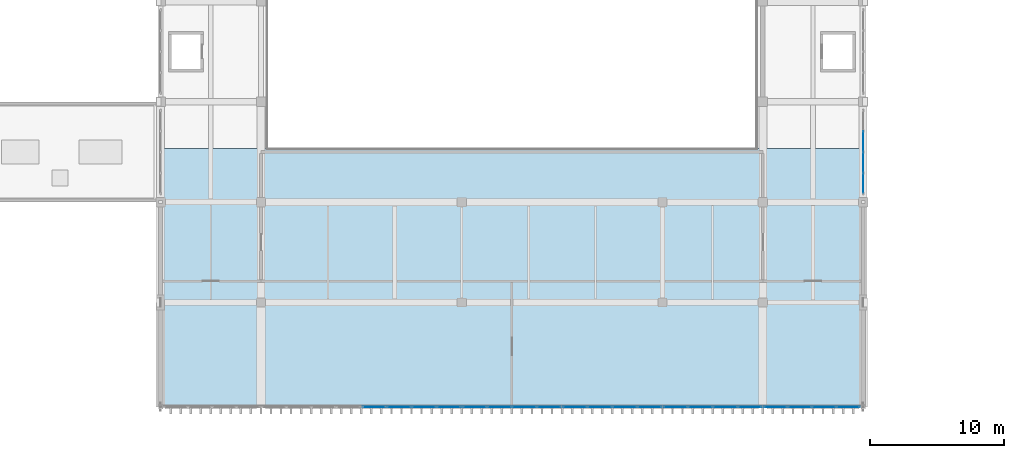
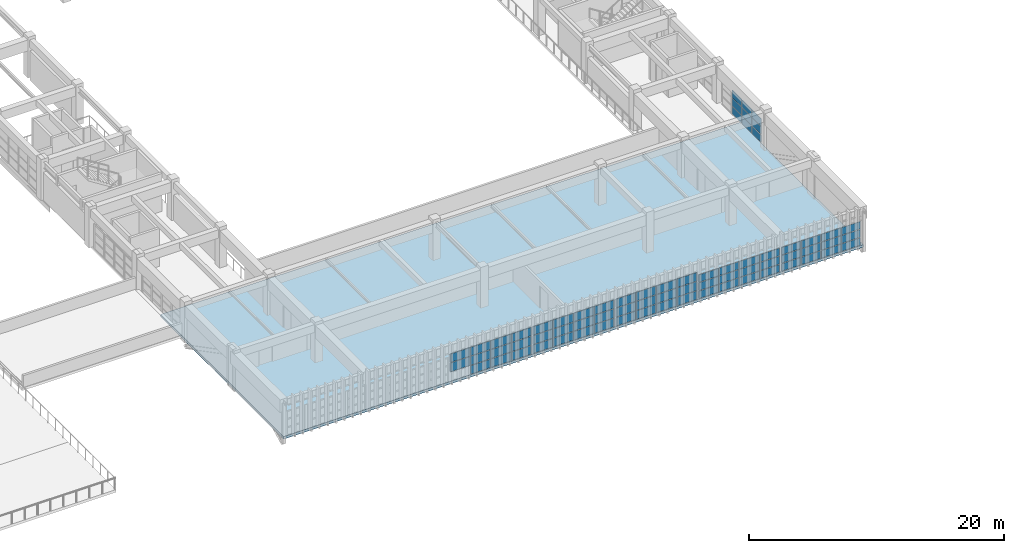
# One storey, part 52 of 82: 68 plates, 1 slab, 6 elements without a shape of their own.
"""IFC4 building model written with IfcOpenShell, lengths in metres."""

from ifc_helpers import new_model, si_unit, direction, frame, origin, origin_2d, place, context, subcontext, project, spatial, polyline, rectangle, outline, extrude, material, layer, layer_set, type_object, element, aggregate, save


model = new_model("IFC4")

# Units and contexts
model_context = context("Model", 3, precision=1e-05, world=origin(), true_north=direction((0.0, 1.0)))
body_context = subcontext(model_context, "Body", "Model", "MODEL_VIEW")
ifc_project = project(units=[si_unit("LENGTHUNIT", "METRE"), si_unit("AREAUNIT", "SQUARE_METRE"), si_unit("VOLUMEUNIT", "CUBIC_METRE"), si_unit("PLANEANGLEUNIT", "RADIAN"), si_unit("MASSUNIT", "GRAM", prefix="KILO")], contexts=[model_context])

# Site, building, storey
site_placement = place(None, origin())
site = spatial("IfcSite", under=ifc_project, at=site_placement, CompositionType="ELEMENT")
building_placement = place(site_placement, origin())
building = spatial("IfcBuilding", under=site, at=building_placement, Name="Qasida Concert Hall", CompositionType="ELEMENT")
storey_placement = place(building_placement, frame((0.0, 0.0, 17.10009765625)))
storey = spatial("IfcBuildingStorey", under=building, at=storey_placement, Name="L04", CompositionType="ELEMENT", Elevation=17.10009765625)

# Curtain wall, plates
ifc_material_1 = material(Name="Architectural bronze-anodized aluminium and low-E glass", Category="aluminium")
curtain_wall_type_1 = type_object("IfcCurtainWallType", Name="CW-10", PredefinedType="NOTDEFINED", material=ifc_material_1)
curtain_wall_1_placement = place(storey_placement, origin())
curtain_wall_1 = element("IfcCurtainWall", 1, at=curtain_wall_1_placement, inside=storey, type_object=curtain_wall_type_1, Name="L04 curtain wall CW-10 0024", PredefinedType="NOTDEFINED")
ifc_material_2 = material(Name="Solar-control low-E double glazing", Category="glass")
ifc_layer_1 = layer(ifc_material_2, 0.035888671875, Name="Solar-control low-E double glazing")
ifc_layer_set_1 = layer_set([ifc_layer_1], Name="Solar-control low-E double glazing")
plate_type_1 = type_object("IfcPlateType", Name="PLT-CWP-1", PredefinedType="CURTAIN_PANEL", material=ifc_layer_set_1)
plate_1_placement = place(storey_placement, frame((68.469970703125, 14.699951171875, 0.9267578125), z_axis=(0.0, 0.0, 1.0), x_axis=(1.0, 0.0, 0.0)))
plate_1 = element("IfcPlate", 2, at=plate_1_placement, type_object=plate_type_1, Name="CW-10 panel 1.2", PredefinedType="CURTAIN_PANEL", context=body_context, shape_type="SweptSolid", body=[
    extrude(rectangle(XDim=1.760009765625, YDim=0.035888671875, at=origin_2d()), origin(), (0.0, 0.0, 1.0), 0.836669921875),
])
plate_2_placement = place(storey_placement, frame((68.469970703125, 14.699951171875, 1.8232421875), z_axis=(0.0, 0.0, 1.0), x_axis=(1.0, 0.0, 0.0)))
plate_2 = element("IfcPlate", 3, at=plate_2_placement, type_object=plate_type_1, Name="CW-10 panel 1.3", PredefinedType="CURTAIN_PANEL", context=body_context, shape_type="SweptSolid", body=[
    extrude(rectangle(XDim=1.760009765625, YDim=0.035888671875, at=origin_2d()), origin(), (0.0, 0.0, 1.0), 0.806640625),
])
plate_3_placement = place(storey_placement, frame((70.3173828125, 14.699951171875, 0.059814453125), z_axis=(0.0, 0.0, 1.0), x_axis=(1.0, 0.0, 0.0)))
plate_3 = element("IfcPlate", 4, at=plate_3_placement, type_object=plate_type_1, Name="CW-10 panel 2.1", PredefinedType="CURTAIN_PANEL", context=body_context, shape_type="SweptSolid", body=[
    extrude(rectangle(XDim=1.794921875, YDim=0.035888671875, at=origin_2d()), origin(), (0.0, 0.0, 1.0), 0.806640625),
])
plate_4_placement = place(storey_placement, frame((70.3173828125, 14.699951171875, 0.9267578125), z_axis=(0.0, 0.0, 1.0), x_axis=(1.0, 0.0, 0.0)))
plate_4 = element("IfcPlate", 5, at=plate_4_placement, type_object=plate_type_1, Name="CW-10 panel 2.2", PredefinedType="CURTAIN_PANEL", context=body_context, shape_type="SweptSolid", body=[
    extrude(rectangle(XDim=1.794921875, YDim=0.035888671875, at=origin_2d()), origin(), (0.0, 0.0, 1.0), 0.836669921875),
])
plate_5_placement = place(storey_placement, frame((70.3173828125, 14.699951171875, 1.8232421875), z_axis=(0.0, 0.0, 1.0), x_axis=(1.0, 0.0, 0.0)))
plate_5 = element("IfcPlate", 6, at=plate_5_placement, type_object=plate_type_1, Name="CW-10 panel 2.3", PredefinedType="CURTAIN_PANEL", context=body_context, shape_type="SweptSolid", body=[
    extrude(rectangle(XDim=1.794921875, YDim=0.035888671875, at=origin_2d()), origin(), (0.0, 0.0, 1.0), 0.806640625),
])
plate_6_placement = place(storey_placement, frame((72.1826171875, 14.699951171875, 0.059814453125), z_axis=(0.0, 0.0, 1.0), x_axis=(1.0, 0.0, 0.0)))
plate_6 = element("IfcPlate", 7, at=plate_6_placement, type_object=plate_type_1, Name="CW-10 panel 3.1", PredefinedType="CURTAIN_PANEL", context=body_context, shape_type="SweptSolid", body=[
    extrude(rectangle(XDim=1.794921875, YDim=0.035888671875, at=origin_2d()), origin(), (0.0, 0.0, 1.0), 0.806640625),
])
plate_7_placement = place(storey_placement, frame((72.1826171875, 14.699951171875, 0.9267578125), z_axis=(0.0, 0.0, 1.0), x_axis=(1.0, 0.0, 0.0)))
plate_7 = element("IfcPlate", 8, at=plate_7_placement, type_object=plate_type_1, Name="CW-10 panel 3.2", PredefinedType="CURTAIN_PANEL", context=body_context, shape_type="SweptSolid", body=[
    extrude(rectangle(XDim=1.794921875, YDim=0.035888671875, at=origin_2d()), origin(), (0.0, 0.0, 1.0), 0.836669921875),
])
plate_8_placement = place(storey_placement, frame((72.1826171875, 14.699951171875, 1.8232421875), z_axis=(0.0, 0.0, 1.0), x_axis=(1.0, 0.0, 0.0)))
plate_8 = element("IfcPlate", 9, at=plate_8_placement, type_object=plate_type_1, Name="CW-10 panel 3.3", PredefinedType="CURTAIN_PANEL", context=body_context, shape_type="SweptSolid", body=[
    extrude(rectangle(XDim=1.794921875, YDim=0.035888671875, at=origin_2d()), origin(), (0.0, 0.0, 1.0), 0.806640625),
])
plate_9_placement = place(storey_placement, frame((74.030029296875, 14.699951171875, 0.059814453125), z_axis=(0.0, 0.0, 1.0), x_axis=(1.0, 0.0, 0.0)))
plate_9 = element("IfcPlate", 10, at=plate_9_placement, type_object=plate_type_1, Name="CW-10 panel 4.1", PredefinedType="CURTAIN_PANEL", context=body_context, shape_type="SweptSolid", body=[
    extrude(rectangle(XDim=1.760009765625, YDim=0.035888671875, at=origin_2d()), origin(), (0.0, 0.0, 1.0), 0.806640625),
])
plate_10_placement = place(storey_placement, frame((74.030029296875, 14.699951171875, 0.9267578125), z_axis=(0.0, 0.0, 1.0), x_axis=(1.0, 0.0, 0.0)))
plate_10 = element("IfcPlate", 11, at=plate_10_placement, type_object=plate_type_1, Name="CW-10 panel 4.2", PredefinedType="CURTAIN_PANEL", context=body_context, shape_type="SweptSolid", body=[
    extrude(rectangle(XDim=1.760009765625, YDim=0.035888671875, at=origin_2d()), origin(), (0.0, 0.0, 1.0), 0.836669921875),
])
plate_11_placement = place(storey_placement, frame((74.030029296875, 14.699951171875, 1.8232421875), z_axis=(0.0, 0.0, 1.0), x_axis=(1.0, 0.0, 0.0)))
plate_11 = element("IfcPlate", 12, at=plate_11_placement, type_object=plate_type_1, Name="CW-10 panel 4.3", PredefinedType="CURTAIN_PANEL", context=body_context, shape_type="SweptSolid", body=[
    extrude(rectangle(XDim=1.760009765625, YDim=0.035888671875, at=origin_2d()), origin(), (0.0, 0.0, 1.0), 0.806640625),
])
aggregate(curtain_wall_1, [plate_1, plate_2, plate_3, plate_4, plate_5, plate_6, plate_7, plate_8, plate_9, plate_10, plate_11])

curtain_wall_2_placement = place(storey_placement, origin())
curtain_wall_2 = element("IfcCurtainWall", 13, at=curtain_wall_2_placement, inside=storey, type_object=curtain_wall_type_1, Name="L04 curtain wall CW-10 0025", PredefinedType="NOTDEFINED")
plate_12_placement = place(storey_placement, frame((75.969970703125, 14.699951171875, 0.059814453125), z_axis=(0.0, 0.0, 1.0), x_axis=(1.0, 0.0, 0.0)))
plate_12 = element("IfcPlate", 14, at=plate_12_placement, type_object=plate_type_1, Name="CW-10 panel 1.1", PredefinedType="CURTAIN_PANEL", context=body_context, shape_type="SweptSolid", body=[
    extrude(rectangle(XDim=1.760009765625, YDim=0.035888671875, at=origin_2d()), origin(), (0.0, 0.0, 1.0), 0.806640625),
])
plate_13_placement = place(storey_placement, frame((75.969970703125, 14.699951171875, 0.9267578125), z_axis=(0.0, 0.0, 1.0), x_axis=(1.0, 0.0, 0.0)))
plate_13 = element("IfcPlate", 15, at=plate_13_placement, type_object=plate_type_1, Name="CW-10 panel 1.2", PredefinedType="CURTAIN_PANEL", context=body_context, shape_type="SweptSolid", body=[
    extrude(rectangle(XDim=1.760009765625, YDim=0.035888671875, at=origin_2d()), origin(), (0.0, 0.0, 1.0), 0.836669921875),
])
plate_14_placement = place(storey_placement, frame((75.969970703125, 14.699951171875, 1.8232421875), z_axis=(0.0, 0.0, 1.0), x_axis=(1.0, 0.0, 0.0)))
plate_14 = element("IfcPlate", 16, at=plate_14_placement, type_object=plate_type_1, Name="CW-10 panel 1.3", PredefinedType="CURTAIN_PANEL", context=body_context, shape_type="SweptSolid", body=[
    extrude(rectangle(XDim=1.760009765625, YDim=0.035888671875, at=origin_2d()), origin(), (0.0, 0.0, 1.0), 0.806640625),
])
plate_15_placement = place(storey_placement, frame((77.8173828125, 14.699951171875, 0.059814453125), z_axis=(0.0, 0.0, 1.0), x_axis=(1.0, 0.0, 0.0)))
plate_15 = element("IfcPlate", 17, at=plate_15_placement, type_object=plate_type_1, Name="CW-10 panel 2.1", PredefinedType="CURTAIN_PANEL", context=body_context, shape_type="SweptSolid", body=[
    extrude(rectangle(XDim=1.794921875, YDim=0.035888671875, at=origin_2d()), origin(), (0.0, 0.0, 1.0), 0.806640625),
])
plate_16_placement = place(storey_placement, frame((77.8173828125, 14.699951171875, 0.9267578125), z_axis=(0.0, 0.0, 1.0), x_axis=(1.0, 0.0, 0.0)))
plate_16 = element("IfcPlate", 18, at=plate_16_placement, type_object=plate_type_1, Name="CW-10 panel 2.2", PredefinedType="CURTAIN_PANEL", context=body_context, shape_type="SweptSolid", body=[
    extrude(rectangle(XDim=1.794921875, YDim=0.035888671875, at=origin_2d()), origin(), (0.0, 0.0, 1.0), 0.836669921875),
])
plate_17_placement = place(storey_placement, frame((77.8173828125, 14.699951171875, 1.8232421875), z_axis=(0.0, 0.0, 1.0), x_axis=(1.0, 0.0, 0.0)))
plate_17 = element("IfcPlate", 19, at=plate_17_placement, type_object=plate_type_1, Name="CW-10 panel 2.3", PredefinedType="CURTAIN_PANEL", context=body_context, shape_type="SweptSolid", body=[
    extrude(rectangle(XDim=1.794921875, YDim=0.035888671875, at=origin_2d()), origin(), (0.0, 0.0, 1.0), 0.806640625),
])
plate_18_placement = place(storey_placement, frame((79.6826171875, 14.699951171875, 0.059814453125), z_axis=(0.0, 0.0, 1.0), x_axis=(1.0, 0.0, 0.0)))
plate_18 = element("IfcPlate", 20, at=plate_18_placement, type_object=plate_type_1, Name="CW-10 panel 3.1", PredefinedType="CURTAIN_PANEL", context=body_context, shape_type="SweptSolid", body=[
    extrude(rectangle(XDim=1.794921875, YDim=0.035888671875, at=origin_2d()), origin(), (0.0, 0.0, 1.0), 0.806640625),
])
plate_19_placement = place(storey_placement, frame((79.6826171875, 14.699951171875, 0.9267578125), z_axis=(0.0, 0.0, 1.0), x_axis=(1.0, 0.0, 0.0)))
plate_19 = element("IfcPlate", 21, at=plate_19_placement, type_object=plate_type_1, Name="CW-10 panel 3.2", PredefinedType="CURTAIN_PANEL", context=body_context, shape_type="SweptSolid", body=[
    extrude(rectangle(XDim=1.794921875, YDim=0.035888671875, at=origin_2d()), origin(), (0.0, 0.0, 1.0), 0.836669921875),
])
plate_20_placement = place(storey_placement, frame((79.6826171875, 14.699951171875, 1.8232421875), z_axis=(0.0, 0.0, 1.0), x_axis=(1.0, 0.0, 0.0)))
plate_20 = element("IfcPlate", 22, at=plate_20_placement, type_object=plate_type_1, Name="CW-10 panel 3.3", PredefinedType="CURTAIN_PANEL", context=body_context, shape_type="SweptSolid", body=[
    extrude(rectangle(XDim=1.794921875, YDim=0.035888671875, at=origin_2d()), origin(), (0.0, 0.0, 1.0), 0.806640625),
])
plate_21_placement = place(storey_placement, frame((81.530029296875, 14.699951171875, 0.059814453125), z_axis=(0.0, 0.0, 1.0), x_axis=(1.0, 0.0, 0.0)))
plate_21 = element("IfcPlate", 23, at=plate_21_placement, type_object=plate_type_1, Name="CW-10 panel 4.1", PredefinedType="CURTAIN_PANEL", context=body_context, shape_type="SweptSolid", body=[
    extrude(rectangle(XDim=1.760009765625, YDim=0.035888671875, at=origin_2d()), origin(), (0.0, 0.0, 1.0), 0.806640625),
])
plate_22_placement = place(storey_placement, frame((81.530029296875, 14.699951171875, 0.9267578125), z_axis=(0.0, 0.0, 1.0), x_axis=(1.0, 0.0, 0.0)))
plate_22 = element("IfcPlate", 24, at=plate_22_placement, type_object=plate_type_1, Name="CW-10 panel 4.2", PredefinedType="CURTAIN_PANEL", context=body_context, shape_type="SweptSolid", body=[
    extrude(rectangle(XDim=1.760009765625, YDim=0.035888671875, at=origin_2d()), origin(), (0.0, 0.0, 1.0), 0.836669921875),
])
plate_23_placement = place(storey_placement, frame((81.530029296875, 14.699951171875, 1.8232421875), z_axis=(0.0, 0.0, 1.0), x_axis=(1.0, 0.0, 0.0)))
plate_23 = element("IfcPlate", 25, at=plate_23_placement, type_object=plate_type_1, Name="CW-10 panel 4.3", PredefinedType="CURTAIN_PANEL", context=body_context, shape_type="SweptSolid", body=[
    extrude(rectangle(XDim=1.760009765625, YDim=0.035888671875, at=origin_2d()), origin(), (0.0, 0.0, 1.0), 0.806640625),
])
aggregate(curtain_wall_2, [plate_12, plate_13, plate_14, plate_15, plate_16, plate_17, plate_18, plate_19, plate_20, plate_21, plate_22, plate_23])

curtain_wall_3_placement = place(storey_placement, origin())
curtain_wall_3 = element("IfcCurtainWall", 26, at=curtain_wall_3_placement, inside=storey, type_object=curtain_wall_type_1, Name="L04 curtain wall CW-10 0026", PredefinedType="NOTDEFINED")
plate_24_placement = place(storey_placement, frame((83.469970703125, 14.699951171875, 0.059814453125), z_axis=(0.0, 0.0, 1.0), x_axis=(1.0, 0.0, 0.0)))
plate_24 = element("IfcPlate", 27, at=plate_24_placement, type_object=plate_type_1, Name="CW-10 panel 1.1", PredefinedType="CURTAIN_PANEL", context=body_context, shape_type="SweptSolid", body=[
    extrude(rectangle(XDim=1.760009765625, YDim=0.035888671875, at=origin_2d()), origin(), (0.0, 0.0, 1.0), 0.806640625),
])
plate_25_placement = place(storey_placement, frame((83.469970703125, 14.699951171875, 0.9267578125), z_axis=(0.0, 0.0, 1.0), x_axis=(1.0, 0.0, 0.0)))
plate_25 = element("IfcPlate", 28, at=plate_25_placement, type_object=plate_type_1, Name="CW-10 panel 1.2", PredefinedType="CURTAIN_PANEL", context=body_context, shape_type="SweptSolid", body=[
    extrude(rectangle(XDim=1.760009765625, YDim=0.035888671875, at=origin_2d()), origin(), (0.0, 0.0, 1.0), 0.836669921875),
])
plate_26_placement = place(storey_placement, frame((83.469970703125, 14.699951171875, 1.8232421875), z_axis=(0.0, 0.0, 1.0), x_axis=(1.0, 0.0, 0.0)))
plate_26 = element("IfcPlate", 29, at=plate_26_placement, type_object=plate_type_1, Name="CW-10 panel 1.3", PredefinedType="CURTAIN_PANEL", context=body_context, shape_type="SweptSolid", body=[
    extrude(rectangle(XDim=1.760009765625, YDim=0.035888671875, at=origin_2d()), origin(), (0.0, 0.0, 1.0), 0.806640625),
])
plate_27_placement = place(storey_placement, frame((85.3173828125, 14.699951171875, 0.059814453125), z_axis=(0.0, 0.0, 1.0), x_axis=(1.0, 0.0, 0.0)))
plate_27 = element("IfcPlate", 30, at=plate_27_placement, type_object=plate_type_1, Name="CW-10 panel 2.1", PredefinedType="CURTAIN_PANEL", context=body_context, shape_type="SweptSolid", body=[
    extrude(rectangle(XDim=1.794921875, YDim=0.035888671875, at=origin_2d()), origin(), (0.0, 0.0, 1.0), 0.806640625),
])
plate_28_placement = place(storey_placement, frame((85.3173828125, 14.699951171875, 0.9267578125), z_axis=(0.0, 0.0, 1.0), x_axis=(1.0, 0.0, 0.0)))
plate_28 = element("IfcPlate", 31, at=plate_28_placement, type_object=plate_type_1, Name="CW-10 panel 2.2", PredefinedType="CURTAIN_PANEL", context=body_context, shape_type="SweptSolid", body=[
    extrude(rectangle(XDim=1.794921875, YDim=0.035888671875, at=origin_2d()), origin(), (0.0, 0.0, 1.0), 0.836669921875),
])
plate_29_placement = place(storey_placement, frame((85.3173828125, 14.699951171875, 1.8232421875), z_axis=(0.0, 0.0, 1.0), x_axis=(1.0, 0.0, 0.0)))
plate_29 = element("IfcPlate", 32, at=plate_29_placement, type_object=plate_type_1, Name="CW-10 panel 2.3", PredefinedType="CURTAIN_PANEL", context=body_context, shape_type="SweptSolid", body=[
    extrude(rectangle(XDim=1.794921875, YDim=0.035888671875, at=origin_2d()), origin(), (0.0, 0.0, 1.0), 0.806640625),
])
plate_30_placement = place(storey_placement, frame((87.1826171875, 14.699951171875, 0.059814453125), z_axis=(0.0, 0.0, 1.0), x_axis=(1.0, 0.0, 0.0)))
plate_30 = element("IfcPlate", 33, at=plate_30_placement, type_object=plate_type_1, Name="CW-10 panel 3.1", PredefinedType="CURTAIN_PANEL", context=body_context, shape_type="SweptSolid", body=[
    extrude(rectangle(XDim=1.794921875, YDim=0.035888671875, at=origin_2d()), origin(), (0.0, 0.0, 1.0), 0.806640625),
])
plate_31_placement = place(storey_placement, frame((87.1826171875, 14.699951171875, 0.9267578125), z_axis=(0.0, 0.0, 1.0), x_axis=(1.0, 0.0, 0.0)))
plate_31 = element("IfcPlate", 34, at=plate_31_placement, type_object=plate_type_1, Name="CW-10 panel 3.2", PredefinedType="CURTAIN_PANEL", context=body_context, shape_type="SweptSolid", body=[
    extrude(rectangle(XDim=1.794921875, YDim=0.035888671875, at=origin_2d()), origin(), (0.0, 0.0, 1.0), 0.836669921875),
])
plate_32_placement = place(storey_placement, frame((87.1826171875, 14.699951171875, 1.8232421875), z_axis=(0.0, 0.0, 1.0), x_axis=(1.0, 0.0, 0.0)))
plate_32 = element("IfcPlate", 35, at=plate_32_placement, type_object=plate_type_1, Name="CW-10 panel 3.3", PredefinedType="CURTAIN_PANEL", context=body_context, shape_type="SweptSolid", body=[
    extrude(rectangle(XDim=1.794921875, YDim=0.035888671875, at=origin_2d()), origin(), (0.0, 0.0, 1.0), 0.806640625),
])
plate_33_placement = place(storey_placement, frame((89.030029296875, 14.699951171875, 0.059814453125), z_axis=(0.0, 0.0, 1.0), x_axis=(1.0, 0.0, 0.0)))
plate_33 = element("IfcPlate", 36, at=plate_33_placement, type_object=plate_type_1, Name="CW-10 panel 4.1", PredefinedType="CURTAIN_PANEL", context=body_context, shape_type="SweptSolid", body=[
    extrude(rectangle(XDim=1.760009765625, YDim=0.035888671875, at=origin_2d()), origin(), (0.0, 0.0, 1.0), 0.806640625),
])
plate_34_placement = place(storey_placement, frame((89.030029296875, 14.699951171875, 0.9267578125), z_axis=(0.0, 0.0, 1.0), x_axis=(1.0, 0.0, 0.0)))
plate_34 = element("IfcPlate", 37, at=plate_34_placement, type_object=plate_type_1, Name="CW-10 panel 4.2", PredefinedType="CURTAIN_PANEL", context=body_context, shape_type="SweptSolid", body=[
    extrude(rectangle(XDim=1.760009765625, YDim=0.035888671875, at=origin_2d()), origin(), (0.0, 0.0, 1.0), 0.836669921875),
])
plate_35_placement = place(storey_placement, frame((89.030029296875, 14.699951171875, 1.8232421875), z_axis=(0.0, 0.0, 1.0), x_axis=(1.0, 0.0, 0.0)))
plate_35 = element("IfcPlate", 38, at=plate_35_placement, type_object=plate_type_1, Name="CW-10 panel 4.3", PredefinedType="CURTAIN_PANEL", context=body_context, shape_type="SweptSolid", body=[
    extrude(rectangle(XDim=1.760009765625, YDim=0.035888671875, at=origin_2d()), origin(), (0.0, 0.0, 1.0), 0.806640625),
])
aggregate(curtain_wall_3, [plate_24, plate_25, plate_26, plate_27, plate_28, plate_29, plate_30, plate_31, plate_32, plate_33, plate_34, plate_35])

curtain_wall_4_placement = place(storey_placement, origin())
curtain_wall_4 = element("IfcCurtainWall", 39, at=curtain_wall_4_placement, inside=storey, type_object=curtain_wall_type_1, Name="L04 curtain wall CW-10 0027", PredefinedType="NOTDEFINED")
plate_36_placement = place(storey_placement, frame((90.969970703125, 14.699951171875, 0.06005859375), z_axis=(0.0, 0.0, 1.0), x_axis=(1.0, 0.0, 0.0)))
plate_36 = element("IfcPlate", 40, at=plate_36_placement, type_object=plate_type_1, Name="CW-10 panel 1.1", PredefinedType="CURTAIN_PANEL", context=body_context, shape_type="SweptSolid", body=[
    extrude(rectangle(XDim=1.760009765625, YDim=0.035888671875, at=origin_2d()), origin(), (0.0, 0.0, 1.0), 0.706787109375),
])
plate_37_placement = place(storey_placement, frame((90.969970703125, 14.699951171875, 0.82666015625), z_axis=(0.0, 0.0, 1.0), x_axis=(1.0, 0.0, 0.0)))
plate_37 = element("IfcPlate", 41, at=plate_37_placement, type_object=plate_type_1, Name="CW-10 panel 1.2", PredefinedType="CURTAIN_PANEL", context=body_context, shape_type="SweptSolid", body=[
    extrude(rectangle(XDim=1.760009765625, YDim=0.035888671875, at=origin_2d()), origin(), (0.0, 0.0, 1.0), 0.736572265625),
])
plate_38_placement = place(storey_placement, frame((90.969970703125, 14.699951171875, 1.623046875), z_axis=(0.0, 0.0, 1.0), x_axis=(1.0, 0.0, 0.0)))
plate_38 = element("IfcPlate", 42, at=plate_38_placement, type_object=plate_type_1, Name="CW-10 panel 1.3", PredefinedType="CURTAIN_PANEL", context=body_context, shape_type="SweptSolid", body=[
    extrude(rectangle(XDim=1.760009765625, YDim=0.035888671875, at=origin_2d()), origin(), (0.0, 0.0, 1.0), 0.706787109375),
])
plate_39_placement = place(storey_placement, frame((92.8173828125, 14.699951171875, 0.06005859375), z_axis=(0.0, 0.0, 1.0), x_axis=(1.0, 0.0, 0.0)))
plate_39 = element("IfcPlate", 43, at=plate_39_placement, type_object=plate_type_1, Name="CW-10 panel 2.1", PredefinedType="CURTAIN_PANEL", context=body_context, shape_type="SweptSolid", body=[
    extrude(rectangle(XDim=1.794921875, YDim=0.035888671875, at=origin_2d()), origin(), (0.0, 0.0, 1.0), 0.706787109375),
])
plate_40_placement = place(storey_placement, frame((92.8173828125, 14.699951171875, 0.82666015625), z_axis=(0.0, 0.0, 1.0), x_axis=(1.0, 0.0, 0.0)))
plate_40 = element("IfcPlate", 44, at=plate_40_placement, type_object=plate_type_1, Name="CW-10 panel 2.2", PredefinedType="CURTAIN_PANEL", context=body_context, shape_type="SweptSolid", body=[
    extrude(rectangle(XDim=1.794921875, YDim=0.035888671875, at=origin_2d()), origin(), (0.0, 0.0, 1.0), 0.736572265625),
])
plate_41_placement = place(storey_placement, frame((92.8173828125, 14.699951171875, 1.623046875), z_axis=(0.0, 0.0, 1.0), x_axis=(1.0, 0.0, 0.0)))
plate_41 = element("IfcPlate", 45, at=plate_41_placement, type_object=plate_type_1, Name="CW-10 panel 2.3", PredefinedType="CURTAIN_PANEL", context=body_context, shape_type="SweptSolid", body=[
    extrude(rectangle(XDim=1.794921875, YDim=0.035888671875, at=origin_2d()), origin(), (0.0, 0.0, 1.0), 0.706787109375),
])
plate_42_placement = place(storey_placement, frame((94.6826171875, 14.699951171875, 0.06005859375), z_axis=(0.0, 0.0, 1.0), x_axis=(1.0, 0.0, 0.0)))
plate_42 = element("IfcPlate", 46, at=plate_42_placement, type_object=plate_type_1, Name="CW-10 panel 3.1", PredefinedType="CURTAIN_PANEL", context=body_context, shape_type="SweptSolid", body=[
    extrude(rectangle(XDim=1.794921875, YDim=0.035888671875, at=origin_2d()), origin(), (0.0, 0.0, 1.0), 0.706787109375),
])
plate_43_placement = place(storey_placement, frame((94.6826171875, 14.699951171875, 0.82666015625), z_axis=(0.0, 0.0, 1.0), x_axis=(1.0, 0.0, 0.0)))
plate_43 = element("IfcPlate", 47, at=plate_43_placement, type_object=plate_type_1, Name="CW-10 panel 3.2", PredefinedType="CURTAIN_PANEL", context=body_context, shape_type="SweptSolid", body=[
    extrude(rectangle(XDim=1.794921875, YDim=0.035888671875, at=origin_2d()), origin(), (0.0, 0.0, 1.0), 0.736572265625),
])
plate_44_placement = place(storey_placement, frame((94.6826171875, 14.699951171875, 1.623046875), z_axis=(0.0, 0.0, 1.0), x_axis=(1.0, 0.0, 0.0)))
plate_44 = element("IfcPlate", 48, at=plate_44_placement, type_object=plate_type_1, Name="CW-10 panel 3.3", PredefinedType="CURTAIN_PANEL", context=body_context, shape_type="SweptSolid", body=[
    extrude(rectangle(XDim=1.794921875, YDim=0.035888671875, at=origin_2d()), origin(), (0.0, 0.0, 1.0), 0.706787109375),
])
plate_45_placement = place(storey_placement, frame((96.530029296875, 14.699951171875, 0.06005859375), z_axis=(0.0, 0.0, 1.0), x_axis=(1.0, 0.0, 0.0)))
plate_45 = element("IfcPlate", 49, at=plate_45_placement, type_object=plate_type_1, Name="CW-10 panel 4.1", PredefinedType="CURTAIN_PANEL", context=body_context, shape_type="SweptSolid", body=[
    extrude(rectangle(XDim=1.760009765625, YDim=0.035888671875, at=origin_2d()), origin(), (0.0, 0.0, 1.0), 0.706787109375),
])
plate_46_placement = place(storey_placement, frame((96.530029296875, 14.699951171875, 0.82666015625), z_axis=(0.0, 0.0, 1.0), x_axis=(1.0, 0.0, 0.0)))
plate_46 = element("IfcPlate", 50, at=plate_46_placement, type_object=plate_type_1, Name="CW-10 panel 4.2", PredefinedType="CURTAIN_PANEL", context=body_context, shape_type="SweptSolid", body=[
    extrude(rectangle(XDim=1.760009765625, YDim=0.035888671875, at=origin_2d()), origin(), (0.0, 0.0, 1.0), 0.736572265625),
])
plate_47_placement = place(storey_placement, frame((96.530029296875, 14.699951171875, 1.623046875), z_axis=(0.0, 0.0, 1.0), x_axis=(1.0, 0.0, 0.0)))
plate_47 = element("IfcPlate", 51, at=plate_47_placement, type_object=plate_type_1, Name="CW-10 panel 4.3", PredefinedType="CURTAIN_PANEL", context=body_context, shape_type="SweptSolid", body=[
    extrude(rectangle(XDim=1.760009765625, YDim=0.035888671875, at=origin_2d()), origin(), (0.0, 0.0, 1.0), 0.706787109375),
])
aggregate(curtain_wall_4, [plate_36, plate_37, plate_38, plate_39, plate_40, plate_41, plate_42, plate_43, plate_44, plate_45, plate_46, plate_47])

curtain_wall_5_placement = place(storey_placement, origin())
curtain_wall_5 = element("IfcCurtainWall", 52, at=curtain_wall_5_placement, inside=storey, type_object=curtain_wall_type_1, Name="L04 curtain wall CW-10 0028", PredefinedType="NOTDEFINED")
plate_48_placement = place(storey_placement, frame((98.447509765625, 14.699951171875, 0.06005859375), z_axis=(0.0, 0.0, 1.0), x_axis=(1.0, 0.0, 0.0)))
plate_48 = element("IfcPlate", 53, at=plate_48_placement, type_object=plate_type_1, Name="CW-10 panel 1.1", PredefinedType="CURTAIN_PANEL", context=body_context, shape_type="SweptSolid", body=[
    extrude(rectangle(XDim=1.715087890625, YDim=0.035888671875, at=origin_2d()), origin(), (0.0, 0.0, 1.0), 0.706787109375),
])
plate_49_placement = place(storey_placement, frame((98.447509765625, 14.699951171875, 0.82666015625), z_axis=(0.0, 0.0, 1.0), x_axis=(1.0, 0.0, 0.0)))
plate_49 = element("IfcPlate", 54, at=plate_49_placement, type_object=plate_type_1, Name="CW-10 panel 1.2", PredefinedType="CURTAIN_PANEL", context=body_context, shape_type="SweptSolid", body=[
    extrude(rectangle(XDim=1.715087890625, YDim=0.035888671875, at=origin_2d()), origin(), (0.0, 0.0, 1.0), 0.736572265625),
])
plate_50_placement = place(storey_placement, frame((98.447509765625, 14.699951171875, 1.623046875), z_axis=(0.0, 0.0, 1.0), x_axis=(1.0, 0.0, 0.0)))
plate_50 = element("IfcPlate", 55, at=plate_50_placement, type_object=plate_type_1, Name="CW-10 panel 1.3", PredefinedType="CURTAIN_PANEL", context=body_context, shape_type="SweptSolid", body=[
    extrude(rectangle(XDim=1.715087890625, YDim=0.035888671875, at=origin_2d()), origin(), (0.0, 0.0, 1.0), 0.706787109375),
])
plate_51_placement = place(storey_placement, frame((100.25, 14.699951171875, 0.06005859375), z_axis=(0.0, 0.0, 1.0), x_axis=(1.0, 0.0, 0.0)))
plate_51 = element("IfcPlate", 56, at=plate_51_placement, type_object=plate_type_1, Name="CW-10 panel 2.1", PredefinedType="CURTAIN_PANEL", context=body_context, shape_type="SweptSolid", body=[
    extrude(rectangle(XDim=1.75, YDim=0.035888671875, at=origin_2d()), origin(), (0.0, 0.0, 1.0), 0.706787109375),
])
plate_52_placement = place(storey_placement, frame((100.25, 14.699951171875, 0.82666015625), z_axis=(0.0, 0.0, 1.0), x_axis=(1.0, 0.0, 0.0)))
plate_52 = element("IfcPlate", 57, at=plate_52_placement, type_object=plate_type_1, Name="CW-10 panel 2.2", PredefinedType="CURTAIN_PANEL", context=body_context, shape_type="SweptSolid", body=[
    extrude(rectangle(XDim=1.75, YDim=0.035888671875, at=origin_2d()), origin(), (0.0, 0.0, 1.0), 0.736572265625),
])
plate_53_placement = place(storey_placement, frame((100.25, 14.699951171875, 1.623046875), z_axis=(0.0, 0.0, 1.0), x_axis=(1.0, 0.0, 0.0)))
plate_53 = element("IfcPlate", 58, at=plate_53_placement, type_object=plate_type_1, Name="CW-10 panel 2.3", PredefinedType="CURTAIN_PANEL", context=body_context, shape_type="SweptSolid", body=[
    extrude(rectangle(XDim=1.75, YDim=0.035888671875, at=origin_2d()), origin(), (0.0, 0.0, 1.0), 0.706787109375),
])
plate_54_placement = place(storey_placement, frame((102.070068359375, 14.699951171875, 0.06005859375), z_axis=(0.0, 0.0, 1.0), x_axis=(1.0, 0.0, 0.0)))
plate_54 = element("IfcPlate", 59, at=plate_54_placement, type_object=plate_type_1, Name="CW-10 panel 3.1", PredefinedType="CURTAIN_PANEL", context=body_context, shape_type="SweptSolid", body=[
    extrude(rectangle(XDim=1.75, YDim=0.035888671875, at=origin_2d()), origin(), (0.0, 0.0, 1.0), 0.706787109375),
])
plate_55_placement = place(storey_placement, frame((102.070068359375, 14.699951171875, 0.82666015625), z_axis=(0.0, 0.0, 1.0), x_axis=(1.0, 0.0, 0.0)))
plate_55 = element("IfcPlate", 60, at=plate_55_placement, type_object=plate_type_1, Name="CW-10 panel 3.2", PredefinedType="CURTAIN_PANEL", context=body_context, shape_type="SweptSolid", body=[
    extrude(rectangle(XDim=1.75, YDim=0.035888671875, at=origin_2d()), origin(), (0.0, 0.0, 1.0), 0.736572265625),
])
plate_56_placement = place(storey_placement, frame((102.070068359375, 14.699951171875, 1.623046875), z_axis=(0.0, 0.0, 1.0), x_axis=(1.0, 0.0, 0.0)))
plate_56 = element("IfcPlate", 61, at=plate_56_placement, type_object=plate_type_1, Name="CW-10 panel 3.3", PredefinedType="CURTAIN_PANEL", context=body_context, shape_type="SweptSolid", body=[
    extrude(rectangle(XDim=1.75, YDim=0.035888671875, at=origin_2d()), origin(), (0.0, 0.0, 1.0), 0.706787109375),
])
plate_57_placement = place(storey_placement, frame((103.87255859375, 14.699951171875, 0.06005859375), z_axis=(0.0, 0.0, 1.0), x_axis=(1.0, 0.0, 0.0)))
plate_57 = element("IfcPlate", 62, at=plate_57_placement, type_object=plate_type_1, Name="CW-10 panel 4.1", PredefinedType="CURTAIN_PANEL", context=body_context, shape_type="SweptSolid", body=[
    extrude(rectangle(XDim=1.715087890625, YDim=0.035888671875, at=origin_2d()), origin(), (0.0, 0.0, 1.0), 0.706787109375),
])
plate_58_placement = place(storey_placement, frame((103.87255859375, 14.699951171875, 0.82666015625), z_axis=(0.0, 0.0, 1.0), x_axis=(1.0, 0.0, 0.0)))
plate_58 = element("IfcPlate", 63, at=plate_58_placement, type_object=plate_type_1, Name="CW-10 panel 4.2", PredefinedType="CURTAIN_PANEL", context=body_context, shape_type="SweptSolid", body=[
    extrude(rectangle(XDim=1.715087890625, YDim=0.035888671875, at=origin_2d()), origin(), (0.0, 0.0, 1.0), 0.736572265625),
])
plate_59_placement = place(storey_placement, frame((103.87255859375, 14.699951171875, 1.623046875), z_axis=(0.0, 0.0, 1.0), x_axis=(1.0, 0.0, 0.0)))
plate_59 = element("IfcPlate", 64, at=plate_59_placement, type_object=plate_type_1, Name="CW-10 panel 4.3", PredefinedType="CURTAIN_PANEL", context=body_context, shape_type="SweptSolid", body=[
    extrude(rectangle(XDim=1.715087890625, YDim=0.035888671875, at=origin_2d()), origin(), (0.0, 0.0, 1.0), 0.706787109375),
])
aggregate(curtain_wall_5, [plate_48, plate_49, plate_50, plate_51, plate_52, plate_53, plate_54, plate_55, plate_56, plate_57, plate_58, plate_59])

curtain_wall_type_2 = type_object("IfcCurtainWallType", Name="CW-11", PredefinedType="NOTDEFINED", material=ifc_material_1)
curtain_wall_6_placement = place(storey_placement, origin())
curtain_wall_6 = element("IfcCurtainWall", 65, at=curtain_wall_6_placement, inside=storey, type_object=curtain_wall_type_2, Name="L04 curtain wall CW-11 0057", PredefinedType="NOTDEFINED")
ifc_layer_2 = layer(ifc_material_2, 0.031982421875, Name="Solar-control low-E double glazing")
ifc_layer_set_2 = layer_set([ifc_layer_2], Name="Solar-control low-E double glazing")
plate_type_2 = type_object("IfcPlateType", Name="PLT-CWP-2", PredefinedType="CURTAIN_PANEL", material=ifc_layer_set_2)
plate_60_placement = place(storey_placement, frame((105.0, 31.418701171875, 0.06005859375), z_axis=(0.0, 0.0, 1.0), x_axis=(0.0, 1.0, 0.0)))
plate_60 = element("IfcPlate", 66, at=plate_60_placement, type_object=plate_type_2, Name="CW-11 panel 1.1", PredefinedType="CURTAIN_PANEL", context=body_context, shape_type="SweptSolid", body=[
    extrude(rectangle(XDim=1.467529296875, YDim=0.031982421875, at=origin_2d()), origin(), (0.0, 0.0, 1.0), 0.706787109375),
])
plate_61_placement = place(storey_placement, frame((105.0, 31.418701171875, 0.82666015625), z_axis=(0.0, 0.0, 1.0), x_axis=(0.0, 1.0, 0.0)))
plate_61 = element("IfcPlate", 67, at=plate_61_placement, type_object=plate_type_2, Name="CW-11 panel 1.2", PredefinedType="CURTAIN_PANEL", context=body_context, shape_type="SweptSolid", body=[
    extrude(rectangle(XDim=1.467529296875, YDim=0.031982421875, at=origin_2d()), origin(), (0.0, 0.0, 1.0), 0.736572265625),
])
plate_62_placement = place(storey_placement, frame((105.0, 31.418701171875, 1.623046875), z_axis=(0.0, 0.0, 1.0), x_axis=(0.0, 1.0, 0.0)))
plate_62 = element("IfcPlate", 68, at=plate_62_placement, type_object=plate_type_2, Name="CW-11 panel 1.3", PredefinedType="CURTAIN_PANEL", context=body_context, shape_type="SweptSolid", body=[
    extrude(rectangle(XDim=1.467529296875, YDim=0.031982421875, at=origin_2d()), origin(), (0.0, 0.0, 1.0), 0.706787109375),
])
plate_63_placement = place(storey_placement, frame((105.0, 32.967529296875, 0.06005859375), z_axis=(0.0, 0.0, 1.0), x_axis=(0.0, 1.0, 0.0)))
plate_63 = element("IfcPlate", 69, at=plate_63_placement, type_object=plate_type_2, Name="CW-11 panel 2.1", PredefinedType="CURTAIN_PANEL", context=body_context, shape_type="SweptSolid", body=[
    extrude(rectangle(XDim=1.5, YDim=0.031982421875, at=origin_2d()), origin(), (0.0, 0.0, 1.0), 0.706787109375),
])
plate_64_placement = place(storey_placement, frame((105.0, 32.967529296875, 0.82666015625), z_axis=(0.0, 0.0, 1.0), x_axis=(0.0, 1.0, 0.0)))
plate_64 = element("IfcPlate", 70, at=plate_64_placement, type_object=plate_type_2, Name="CW-11 panel 2.2", PredefinedType="CURTAIN_PANEL", context=body_context, shape_type="SweptSolid", body=[
    extrude(rectangle(XDim=1.5, YDim=0.031982421875, at=origin_2d()), origin(), (0.0, 0.0, 1.0), 0.736572265625),
])
plate_65_placement = place(storey_placement, frame((105.0, 32.967529296875, 1.623046875), z_axis=(0.0, 0.0, 1.0), x_axis=(0.0, 1.0, 0.0)))
plate_65 = element("IfcPlate", 71, at=plate_65_placement, type_object=plate_type_2, Name="CW-11 panel 2.3", PredefinedType="CURTAIN_PANEL", context=body_context, shape_type="SweptSolid", body=[
    extrude(rectangle(XDim=1.5, YDim=0.031982421875, at=origin_2d()), origin(), (0.0, 0.0, 1.0), 0.706787109375),
])
plate_66_placement = place(storey_placement, frame((105.0, 34.532470703125, 0.06005859375), z_axis=(0.0, 0.0, 1.0), x_axis=(0.0, 1.0, 0.0)))
plate_66 = element("IfcPlate", 72, at=plate_66_placement, type_object=plate_type_2, Name="CW-11 panel 3.1", PredefinedType="CURTAIN_PANEL", context=body_context, shape_type="SweptSolid", body=[
    extrude(rectangle(XDim=1.5, YDim=0.031982421875, at=origin_2d()), origin(), (0.0, 0.0, 1.0), 0.706787109375),
])
plate_67_placement = place(storey_placement, frame((105.0, 34.532470703125, 0.82666015625), z_axis=(0.0, 0.0, 1.0), x_axis=(0.0, 1.0, 0.0)))
plate_67 = element("IfcPlate", 73, at=plate_67_placement, type_object=plate_type_2, Name="CW-11 panel 3.2", PredefinedType="CURTAIN_PANEL", context=body_context, shape_type="SweptSolid", body=[
    extrude(rectangle(XDim=1.5, YDim=0.031982421875, at=origin_2d()), origin(), (0.0, 0.0, 1.0), 0.736572265625),
])
plate_68_placement = place(storey_placement, frame((105.0, 34.532470703125, 1.623046875), z_axis=(0.0, 0.0, 1.0), x_axis=(0.0, 1.0, 0.0)))
plate_68 = element("IfcPlate", 74, at=plate_68_placement, type_object=plate_type_2, Name="CW-11 panel 3.3", PredefinedType="CURTAIN_PANEL", context=body_context, shape_type="SweptSolid", body=[
    extrude(rectangle(XDim=1.5, YDim=0.031982421875, at=origin_2d()), origin(), (0.0, 0.0, 1.0), 0.706787109375),
])
aggregate(curtain_wall_6, [plate_60, plate_61, plate_62, plate_63, plate_64, plate_65, plate_66, plate_67, plate_68])

# Slab
ifc_material_3 = material(Name="Concrete C40/50", Category="concrete")
ifc_layer_3 = layer(ifc_material_3, 0.239990234375, Name="Concrete C40/50")
ifc_layer_set_3 = layer_set([ifc_layer_3], Name="Concrete C40/50")
slab_type = type_object("IfcSlabType", Name="SL-FS-240", PredefinedType="FLOOR", material=ifc_layer_set_3)
slab_placement = place(storey_placement, frame((0.0, 0.0, -0.239990234375)))
element("IfcSlab", 75, at=slab_placement, inside=storey, type_object=slab_type, Name="V1 reflector gallery south (FS-240)", PredefinedType="FLOOR", context=body_context, shape_type="SweptSolid", body=[
    extrude(outline(polyline([(52.5, 14.699951171875), (105.0, 14.699951171875), (105.0, 34.0), (52.5, 34.0), (52.5, 14.699951171875)])), origin(), (0.0, 0.0, 1.0), 0.239990234375),
])

save(model, "model.ifc")
